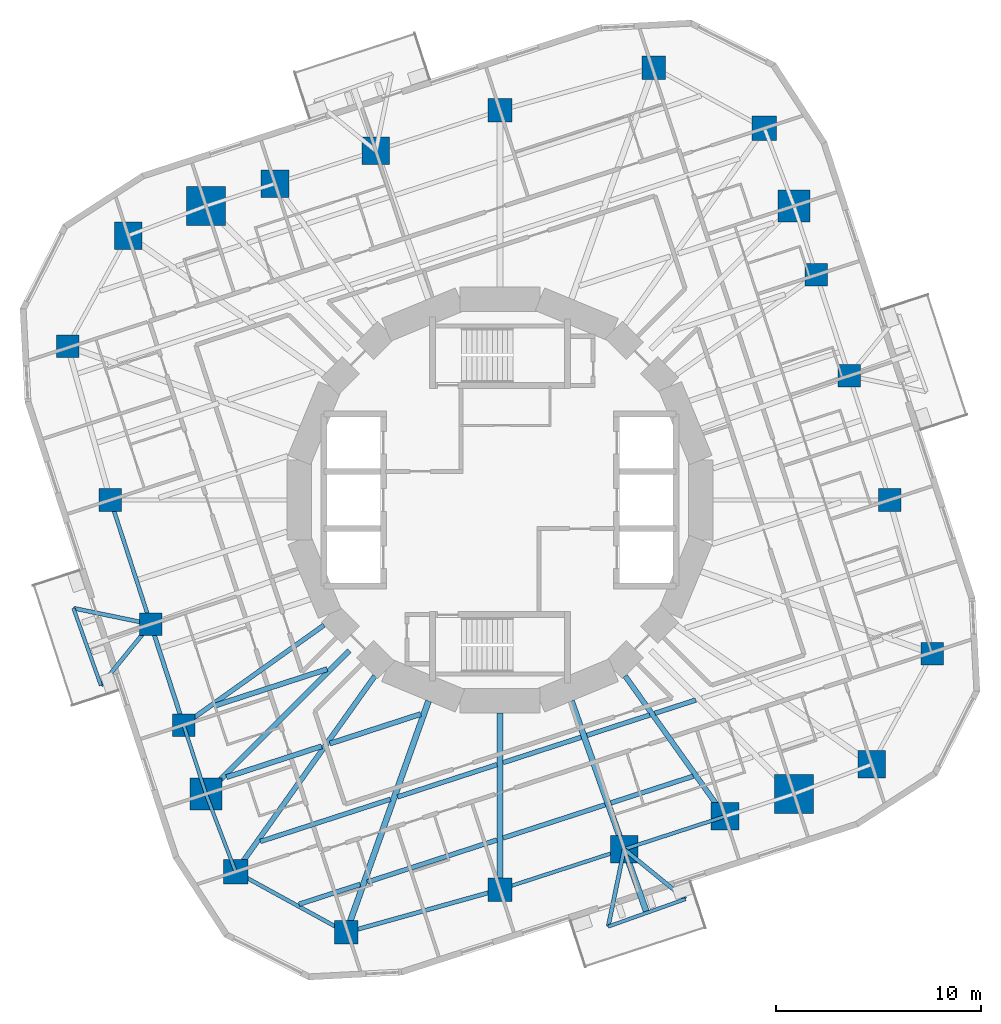
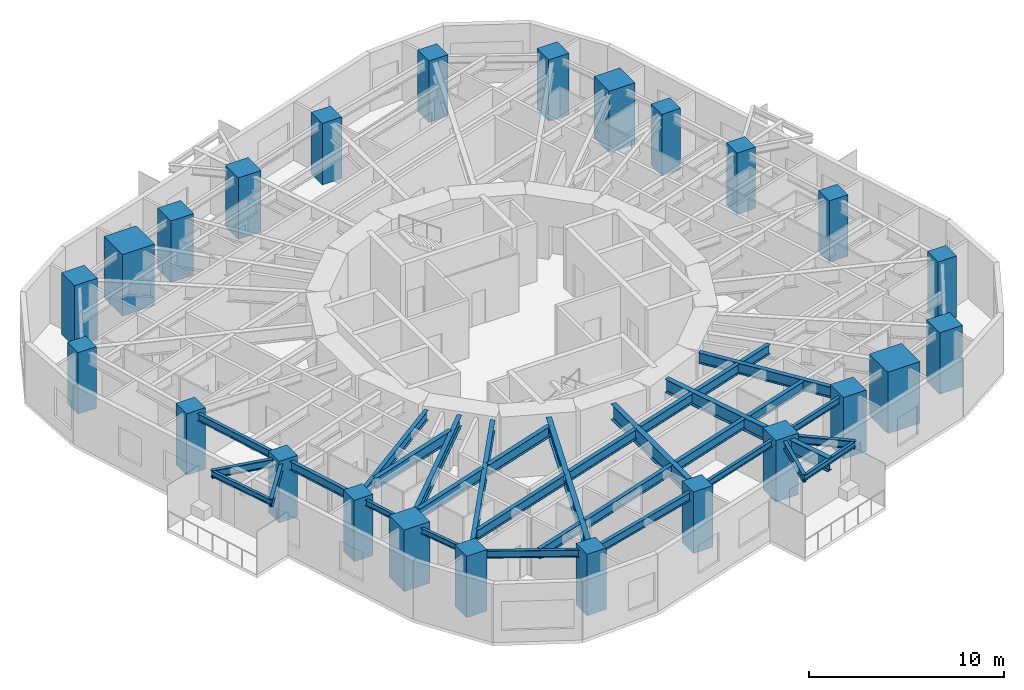
# One storey, part 1 of 12: 33 beams, 24 columns.
"""IFC4 building model written with IfcOpenShell, lengths in metres."""

from ifc_helpers import new_model, si_unit, direction, frame, origin, origin_2d, place, context, subcontext, project, spatial, rectangle, i_section, extrude, material, material_profile, profile_set, type_object, element, save


model = new_model("IFC4")

# Units and contexts
model_context = context("Model", 3, precision=1e-05, world=origin(), true_north=direction((0.0, 1.0)))
body_context = subcontext(model_context, "Body", "Model", "MODEL_VIEW")
ifc_project = project(units=[si_unit("LENGTHUNIT", "METRE"), si_unit("AREAUNIT", "SQUARE_METRE"), si_unit("VOLUMEUNIT", "CUBIC_METRE"), si_unit("PLANEANGLEUNIT", "RADIAN"), si_unit("MASSUNIT", "GRAM", prefix="KILO")], contexts=[model_context])

# Site, building, storey
site_placement = place(None, origin())
site = spatial("IfcSite", under=ifc_project, at=site_placement, CompositionType="ELEMENT")
building_placement = place(site_placement, origin())
building = spatial("IfcBuilding", under=site, at=building_placement, Name="Nakasero Lantern House", CompositionType="ELEMENT")
storey_placement = place(building_placement, frame((0.0, 0.0, 149.5)))
storey = spatial("IfcBuildingStorey", under=building, at=storey_placement, Name="L36", CompositionType="ELEMENT", Elevation=149.5)

# Columns
ifc_material_1 = material(Name="Concrete C50/60", Category="concrete")
ifc_material_profile_1 = material_profile(ifc_material_1, rectangle(XDim=1.550048828125, YDim=1.550048828125, at=origin_2d()), Name="RC 1550x1550")
ifc_profile_set_1 = profile_set([ifc_material_profile_1], Name="Concrete C50/60")
column_type_1 = type_object("IfcColumnType", Name="Mega column RC 1550x1550 C50/60", PredefinedType="COLUMN", material=ifc_profile_set_1)
for number, where, z_axis, x_axis, name in (
    (1, (14.3642578125, 14.3642578125, 0.0), (0.0, 0.0, 1.0), (1.0, 0.0, 0.0), "Column B4-C06 L36"),
    (2, (-14.3642578125, -14.3642578125, 0.0), (0.0, 0.0, 1.0), (1.0, 0.0, 0.0), "Column B4-C18 L36"),
):
    element("IfcColumn", number, at=place(storey_placement, frame(where, z_axis=z_axis, x_axis=x_axis)), inside=storey, type_object=column_type_1, Name=name, PredefinedType="COLUMN", context=body_context, shape_type="SweptSolid", body=[
        extrude(rectangle(XDim=1.550048828125, YDim=1.550048828125, at=origin_2d()), origin(), (0.0, 0.0, 1.0), 3.85009765625),
    ])
ifc_material_2 = material(Name="Concrete C50/60", Category="concrete")
ifc_material_profile_2 = material_profile(ifc_material_2, rectangle(XDim=1.89990234375, YDim=1.89990234375, at=origin_2d()), Name="RC 1900x1900")
ifc_profile_set_2 = profile_set([ifc_material_profile_2], Name="Concrete C50/60")
column_type_2 = type_object("IfcColumnType", Name="Mega column RC 1900x1900 C50/60", PredefinedType="COLUMN", material=ifc_profile_set_2)
for number, where, z_axis, x_axis, name in (
    (3, (-14.3642578125, 14.3642578125, 0.0), (0.0, 0.0, 1.0), (1.0, 0.0, 0.0), "Column B4-C12 L36"),
    (4, (14.3642578125, -14.3642578125, 0.0), (0.0, 0.0, 1.0), (1.0, 0.0, 0.0), "Column B4-C24 L36"),
):
    element("IfcColumn", number, at=place(storey_placement, frame(where, z_axis=z_axis, x_axis=x_axis)), inside=storey, type_object=column_type_2, Name=name, PredefinedType="COLUMN", context=body_context, shape_type="SweptSolid", body=[
        extrude(rectangle(XDim=1.89990234375, YDim=1.89990234375, at=origin_2d()), origin(), (0.0, 0.0, 1.0), 3.85009765625),
    ])
ifc_material_3 = material(Name="Concrete C50/60", Category="concrete")
ifc_material_profile_3 = material_profile(ifc_material_3, rectangle(XDim=1.10009765625, YDim=1.10009765625, at=origin_2d()), Name="RC 1100x1100")
ifc_profile_set_3 = profile_set([ifc_material_profile_3], Name="Concrete C50/60")
column_type_3 = type_object("IfcColumnType", Name="Ring column RC 1100x1100 C50/60", PredefinedType="COLUMN", material=ifc_profile_set_3)
for number, where, z_axis, x_axis, name in (
    (5, (21.129638671875, -7.5126953125, 0.0), (0.0, 0.0, 1.0), (1.0, 0.0, 0.0), "Column B4-C02 L36"),
    (6, (19.031494140625, 0.0, 0.0), (0.0, 0.0, 1.0), (1.0, 0.0, 0.0), "Column B4-C03 L36"),
    (7, (17.060546875, 6.06591796875, 0.0), (0.0, 0.0, 1.0), (1.0, 0.0, 0.0), "Column B4-C04 L36"),
    (8, (15.45947265625, 10.993408203125, 0.0), (0.0, 0.0, 1.0), (1.0, 0.0, 0.0), "Column B4-C05 L36"),
    (9, (-21.129638671875, 7.5126953125, 0.0), (0.0, 0.0, 1.0), (1.0, 0.0, 0.0), "Column B4-C14 L36"),
    (10, (-19.031494140625, 0.0, 0.0), (0.0, 0.0, 1.0), (1.0, 0.0, 0.0), "Column B4-C15 L36"),
    (11, (-17.060546875, -6.06591796875, 0.0), (0.0, 0.0, 1.0), (1.0, 0.0, 0.0), "Column B4-C16 L36"),
    (12, (-15.45947265625, -10.993408203125, 0.0), (0.0, 0.0, 1.0), (1.0, 0.0, 0.0), "Column B4-C17 L36"),
):
    element("IfcColumn", number, at=place(storey_placement, frame(where, z_axis=z_axis, x_axis=x_axis)), inside=storey, type_object=column_type_3, Name=name, PredefinedType="COLUMN", context=body_context, shape_type="SweptSolid", body=[
        extrude(rectangle(XDim=1.10009765625, YDim=1.10009765625, at=origin_2d()), origin(), (0.0, 0.0, 1.0), 3.85009765625),
    ])
ifc_material_4 = material(Name="Concrete C50/60", Category="concrete")
ifc_material_profile_4 = material_profile(ifc_material_4, rectangle(XDim=1.14990234375, YDim=1.14990234375, at=origin_2d()), Name="RC 1150x1150")
ifc_profile_set_4 = profile_set([ifc_material_profile_4], Name="Concrete C50/60")
column_type_4 = type_object("IfcColumnType", Name="Ring column RC 1150x1150 C50/60", PredefinedType="COLUMN", material=ifc_profile_set_4)
for number, where, z_axis, x_axis, name in (
    (13, (7.5126953125, 21.129638671875, 0.0), (0.0, 0.0, 1.0), (1.0, 0.0, 0.0), "Column B4-C08 L36"),
    (14, (0.0, 19.031494140625, 0.0), (0.0, 0.0, 1.0), (1.0, 0.0, 0.0), "Column B4-C09 L36"),
    (15, (-7.5126953125, -21.129638671875, 0.0), (0.0, 0.0, 1.0), (1.0, 0.0, 0.0), "Column B4-C20 L36"),
    (16, (0.0, -19.031494140625, 0.0), (0.0, 0.0, 1.0), (1.0, 0.0, 0.0), "Column B4-C21 L36"),
):
    element("IfcColumn", number, at=place(storey_placement, frame(where, z_axis=z_axis, x_axis=x_axis)), inside=storey, type_object=column_type_4, Name=name, PredefinedType="COLUMN", context=body_context, shape_type="SweptSolid", body=[
        extrude(rectangle(XDim=1.14990234375, YDim=1.14990234375, at=origin_2d()), origin(), (0.0, 0.0, 1.0), 3.85009765625),
    ])
ifc_material_5 = material(Name="Concrete C50/60", Category="concrete")
ifc_material_profile_5 = material_profile(ifc_material_5, rectangle(XDim=1.199951171875, YDim=1.199951171875, at=origin_2d()), Name="RC 1200x1200")
ifc_profile_set_5 = profile_set([ifc_material_profile_5], Name="Concrete C50/60")
column_type_5 = type_object("IfcColumnType", Name="Ring column RC 1200x1200 C50/60", PredefinedType="COLUMN", material=ifc_profile_set_5)
for number, where, z_axis, x_axis, name in (
    (17, (12.916015625, 18.1630859375, 0.0), (0.0, 0.0, 1.0), (1.0, 0.0, 0.0), "Column B4-C07 L36"),
    (18, (-12.916015625, -18.1630859375, 0.0), (0.0, 0.0, 1.0), (1.0, 0.0, 0.0), "Column B4-C19 L36"),
):
    element("IfcColumn", number, at=place(storey_placement, frame(where, z_axis=z_axis, x_axis=x_axis)), inside=storey, type_object=column_type_5, Name=name, PredefinedType="COLUMN", context=body_context, shape_type="SweptSolid", body=[
        extrude(rectangle(XDim=1.199951171875, YDim=1.199951171875, at=origin_2d()), origin(), (0.0, 0.0, 1.0), 3.85009765625),
    ])
ifc_material_6 = material(Name="Concrete C50/60", Category="concrete")
ifc_material_profile_6 = material_profile(ifc_material_6, rectangle(XDim=1.35009765625, YDim=1.35009765625, at=origin_2d()), Name="RC 1350x1350")
ifc_profile_set_6 = profile_set([ifc_material_profile_6], Name="Concrete C50/60")
column_type_6 = type_object("IfcColumnType", Name="Ring column RC 1350x1350 C50/60", PredefinedType="COLUMN", material=ifc_profile_set_6)
for number, where, z_axis, x_axis, name in (
    (19, (18.1630859375, -12.916015625, 0.0), (0.0, 0.0, 1.0), (1.0, 0.0, 0.0), "Column B4-C01 L36"),
    (20, (-6.06591796875, 17.060546875, 0.0), (0.0, 0.0, 1.0), (1.0, 0.0, 0.0), "Column B4-C10 L36"),
    (21, (-10.993408203125, 15.45947265625, 0.0), (0.0, 0.0, 1.0), (1.0, 0.0, 0.0), "Column B4-C11 L36"),
    (22, (-18.1630859375, 12.916015625, 0.0), (0.0, 0.0, 1.0), (1.0, 0.0, 0.0), "Column B4-C13 L36"),
    (23, (6.06591796875, -17.060546875, 0.0), (0.0, 0.0, 1.0), (1.0, 0.0, 0.0), "Column B4-C22 L36"),
    (24, (10.993408203125, -15.45947265625, 0.0), (0.0, 0.0, 1.0), (1.0, 0.0, 0.0), "Column B4-C23 L36"),
):
    element("IfcColumn", number, at=place(storey_placement, frame(where, z_axis=z_axis, x_axis=x_axis)), inside=storey, type_object=column_type_6, Name=name, PredefinedType="COLUMN", context=body_context, shape_type="SweptSolid", body=[
        extrude(rectangle(XDim=1.35009765625, YDim=1.35009765625, at=origin_2d()), origin(), (0.0, 0.0, 1.0), 3.85009765625),
    ])

# Beams
ifc_material_7 = material(Name="Steel S355", Category="steel")
ifc_material_profile_7 = material_profile(ifc_material_7, i_section(OverallWidth=0.199462890625, OverallDepth=0.491943359375, WebThickness=0.01806640625, FlangeThickness=0.031982421875, FilletRadius=0.01025390625, at=origin_2d()), Name="UB 457x191x161")
ifc_profile_set_7 = profile_set([ifc_material_profile_7], Name="Steel S355")
beam_type_1 = type_object("IfcBeamType", Name="Balcony splay beam UB 457x191x161", PredefinedType="BEAM", material=ifc_profile_set_7)
for number, where, z_axis, x_axis, name in (
    (25, (-17.060546875, -6.06591796875, 3.404052734375), (-0.632127727159, -0.774864205236, 0.0), (0.774864205236, -0.632127727159, 0.0), "Balcony splay beam L37 B4-C16A"),
    (26, (-17.060546875, -6.06591796875, 3.404052734375), (-0.979420272605, 0.201831438605, 0.0), (-0.201831438605, -0.979420272605, 0.0), "Balcony splay beam L37 B4-C16B"),
    (27, (6.06591796875, -17.060546875, 3.404052734375), (0.774864205236, -0.632127727159, 0.0), (0.632127727159, 0.774864205236, 0.0), "Balcony splay beam L37 B4-C22A"),
    (28, (6.06591796875, -17.060546875, 3.404052734375), (-0.201831438605, -0.979420272605, 0.0), (0.979420272605, -0.201831438605, 0.0), "Balcony splay beam L37 B4-C22B"),
):
    element("IfcBeam", number, at=place(storey_placement, frame(where, z_axis=z_axis, x_axis=x_axis)), inside=storey, type_object=beam_type_1, Name=name, PredefinedType="BEAM", context=body_context, shape_type="SweptSolid", body=[
        extrude(i_section(OverallWidth=0.199462890625, OverallDepth=0.491943359375, WebThickness=0.01806640625, FlangeThickness=0.031982421875, FilletRadius=0.01025390625, at=origin_2d()), origin(), (0.0, 0.0, 1.0), 3.858642578125),
    ])
ifc_material_8 = material(Name="Steel S355", Category="steel")
ifc_material_profile_8 = material_profile(ifc_material_8, i_section(OverallWidth=0.17138671875, OverallDepth=0.35498046875, WebThickness=0.00732421875, FlangeThickness=0.011474609375, FilletRadius=0.01025390625, at=origin_2d()), Name="UB 356x171x51")
ifc_profile_set_8 = profile_set([ifc_material_profile_8], Name="Steel S355")
beam_type_2 = type_object("IfcBeamType", Name="Balcony tie beam UB 356x171x51", PredefinedType="BEAM", material=ifc_profile_set_8)
for number, where, z_axis, x_axis, name in (
    (29, (-19.499755859375, -9.055908203125, 3.472412109375), (-0.335025321236, 0.942209124415, 0.0), (-0.942209124415, -0.335025321236, 0.0), "Balcony tie beam L37 B4-C16"),
    (30, (9.055908203125, -19.499755859375, 3.472412109375), (-0.942209124415, -0.335025321236, 0.0), (0.335025321236, -0.942209124415, 0.0), "Balcony tie beam L37 B4-C22"),
):
    element("IfcBeam", number, at=place(storey_placement, frame(where, z_axis=z_axis, x_axis=x_axis)), inside=storey, type_object=beam_type_2, Name=name, PredefinedType="BEAM", context=body_context, shape_type="SweptSolid", body=[
        extrude(i_section(OverallWidth=0.17138671875, OverallDepth=0.35498046875, WebThickness=0.00732421875, FlangeThickness=0.011474609375, FilletRadius=0.01025390625, at=origin_2d()), origin(), (0.0, 0.0, 1.0), 4.0),
    ])
ifc_material_9 = material(Name="Steel S355", Category="steel")
ifc_material_profile_9 = material_profile(ifc_material_9, i_section(OverallWidth=0.22900390625, OverallDepth=0.6123046875, WebThickness=0.011962890625, FlangeThickness=0.01953125, FilletRadius=0.0126953125, at=origin_2d()), Name="UB 610x229x125")
ifc_profile_set_9 = profile_set([ifc_material_profile_9], Name="Steel S355")
beam_type_3 = type_object("IfcBeamType", Name="Infill beam UB 610x229x125", PredefinedType="JOIST", material=ifc_profile_set_9)
beam_1_placement = place(storey_placement, frame((-9.823974609375, -19.75244140625, 3.343994140625), z_axis=(0.951054602662, 0.309022883872, 0.0), x_axis=(-0.309022883872, 0.951054602662, 0.0)))
element("IfcBeam", 31, at=beam_1_placement, inside=storey, type_object=beam_type_3, Name="Infill beam L37 03.1", PredefinedType="JOIST", context=body_context, shape_type="SweptSolid", body=[
    extrude(i_section(OverallWidth=0.22900390625, OverallDepth=0.6123046875, WebThickness=0.011962890625, FlangeThickness=0.01953125, FilletRadius=0.0126953125, at=origin_2d()), origin(), (0.0, 0.0, 1.0), 3.145263671875),
])
beam_2_placement = place(storey_placement, frame((-6.48193359375, -18.66650390625, 3.343994140625), z_axis=(0.951068556075, 0.308979937287, 0.0), x_axis=(-0.308979937287, 0.951068556075, 0.0)))
element("IfcBeam", 32, at=beam_2_placement, inside=storey, type_object=beam_type_3, Name="Infill beam L37 03.2", PredefinedType="JOIST", context=body_context, shape_type="SweptSolid", body=[
    extrude(i_section(OverallWidth=0.22900390625, OverallDepth=0.6123046875, WebThickness=0.011962890625, FlangeThickness=0.01953125, FilletRadius=0.0126953125, at=origin_2d()), origin(), (0.0, 0.0, 1.0), 6.65771484375),
])
beam_3_placement = place(storey_placement, frame((0.14990234375, -16.51171875, 3.343994140625), z_axis=(0.951061765699, 0.309000837904, 0.0), x_axis=(-0.309000837904, 0.951061765699, 0.0)))
element("IfcBeam", 33, at=beam_3_placement, inside=storey, type_object=beam_type_3, Name="Infill beam L37 03.3", PredefinedType="JOIST", context=body_context, shape_type="SweptSolid", body=[
    extrude(i_section(OverallWidth=0.22900390625, OverallDepth=0.6123046875, WebThickness=0.011962890625, FlangeThickness=0.01953125, FilletRadius=0.0126953125, at=origin_2d()), origin(), (0.0, 0.0, 1.0), 5.246337890625),
])
beam_4_placement = place(storey_placement, frame((5.41748046875, -14.80029296875, 3.343994140625), z_axis=(0.951057398427, 0.30901427944, 0.0), x_axis=(-0.30901427944, 0.951057398427, 0.0)))
element("IfcBeam", 34, at=beam_4_placement, inside=storey, type_object=beam_type_3, Name="Infill beam L37 03.4", PredefinedType="JOIST", context=body_context, shape_type="SweptSolid", body=[
    extrude(i_section(OverallWidth=0.22900390625, OverallDepth=0.6123046875, WebThickness=0.011962890625, FlangeThickness=0.01953125, FilletRadius=0.0126953125, at=origin_2d()), origin(), (0.0, 0.0, 1.0), 4.229248046875),
])
beam_5_placement = place(storey_placement, frame((-11.709228515625, -16.68505859375, 3.343994140625), z_axis=(0.951056080098, 0.30901833685, 0.0), x_axis=(-0.30901833685, 0.951056080098, 0.0)))
element("IfcBeam", 35, at=beam_5_placement, inside=storey, type_object=beam_type_3, Name="Infill beam L37 04.1", PredefinedType="JOIST", context=body_context, shape_type="SweptSolid", body=[
    extrude(i_section(OverallWidth=0.22900390625, OverallDepth=0.6123046875, WebThickness=0.011962890625, FlangeThickness=0.01953125, FilletRadius=0.0126953125, at=origin_2d()), origin(), (0.0, 0.0, 1.0), 6.68310546875),
])
beam_6_placement = place(storey_placement, frame((-5.00244140625, -14.505859375, 3.343994140625), z_axis=(0.951057977144, 0.309012498309, 0.0), x_axis=(-0.309012498309, 0.951057977144, 0.0)))
element("IfcBeam", 36, at=beam_6_placement, inside=storey, type_object=beam_type_3, Name="Infill beam L37 04.2", PredefinedType="JOIST", context=body_context, shape_type="SweptSolid", body=[
    extrude(i_section(OverallWidth=0.22900390625, OverallDepth=0.6123046875, WebThickness=0.011962890625, FlangeThickness=0.01953125, FilletRadius=0.0126953125, at=origin_2d()), origin(), (0.0, 0.0, 1.0), 5.102294921875),
])
beam_7_placement = place(storey_placement, frame((0.14990234375, -12.831787109375, 3.343994140625), z_axis=(0.95105910343, 0.309009031878, 0.0), x_axis=(-0.309009031878, 0.95105910343, 0.0)))
element("IfcBeam", 37, at=beam_7_placement, inside=storey, type_object=beam_type_3, Name="Infill beam L37 04.3", PredefinedType="JOIST", context=body_context, shape_type="SweptSolid", body=[
    extrude(i_section(OverallWidth=0.22900390625, OverallDepth=0.6123046875, WebThickness=0.011962890625, FlangeThickness=0.01953125, FilletRadius=0.0126953125, at=origin_2d()), origin(), (0.0, 0.0, 1.0), 4.0126953125),
])
beam_8_placement = place(storey_placement, frame((4.24462890625, -11.501220703125, 3.343994140625), z_axis=(0.951054080044, 0.309024492283, 0.0), x_axis=(-0.309024492283, 0.951054080044, 0.0)))
element("IfcBeam", 38, at=beam_8_placement, inside=storey, type_object=beam_type_3, Name="Infill beam L37 04.4", PredefinedType="JOIST", context=body_context, shape_type="SweptSolid", body=[
    extrude(i_section(OverallWidth=0.22900390625, OverallDepth=0.6123046875, WebThickness=0.011962890625, FlangeThickness=0.01953125, FilletRadius=0.0126953125, at=origin_2d()), origin(), (0.0, 0.0, 1.0), 3.227294921875),
])
beam_9_placement = place(storey_placement, frame((7.566650390625, -10.421875, 3.343994140625), z_axis=(0.951053739923, 0.30902553904, 0.0), x_axis=(-0.30902553904, 0.951053739923, 0.0)))
element("IfcBeam", 39, at=beam_9_placement, inside=storey, type_object=beam_type_3, Name="Infill beam L37 04.5", PredefinedType="JOIST", context=body_context, shape_type="SweptSolid", body=[
    extrude(i_section(OverallWidth=0.22900390625, OverallDepth=0.6123046875, WebThickness=0.011962890625, FlangeThickness=0.01953125, FilletRadius=0.0126953125, at=origin_2d()), origin(), (0.0, 0.0, 1.0), 2.09765625),
])
ifc_material_10 = material(Name="Steel S355", Category="steel")
ifc_material_profile_10 = material_profile(ifc_material_10, i_section(OverallWidth=0.253662109375, OverallDepth=0.68359375, WebThickness=0.012451171875, FlangeThickness=0.01904296875, FilletRadius=0.01513671875, at=origin_2d()), Name="UB 686x254x140")
ifc_profile_set_10 = profile_set([ifc_material_profile_10], Name="Steel S355")
beam_type_4 = type_object("IfcBeamType", Name="Infill beam UB 686x254x140", PredefinedType="JOIST", material=ifc_profile_set_10)
beam_10_placement = place(storey_placement, frame((-13.36279296875, -13.5419921875, 3.308349609375), z_axis=(0.951061574069, 0.309001427713, 0.0), x_axis=(-0.309001427713, 0.951061574069, 0.0)))
element("IfcBeam", 40, at=beam_10_placement, inside=storey, type_object=beam_type_4, Name="Infill beam L37 05.1", PredefinedType="JOIST", context=body_context, shape_type="SweptSolid", body=[
    extrude(i_section(OverallWidth=0.253662109375, OverallDepth=0.68359375, WebThickness=0.012451171875, FlangeThickness=0.01904296875, FilletRadius=0.01513671875, at=origin_2d()), origin(), (0.0, 0.0, 1.0), 4.8916015625),
])
beam_11_placement = place(storey_placement, frame((-8.305908203125, -11.89892578125, 3.308349609375), z_axis=(0.95106063111, 0.309004329989, 0.0), x_axis=(-0.309004329989, 0.95106063111, 0.0)))
element("IfcBeam", 41, at=beam_11_placement, inside=storey, type_object=beam_type_4, Name="Infill beam L37 05.2", PredefinedType="JOIST", context=body_context, shape_type="SweptSolid", body=[
    extrude(i_section(OverallWidth=0.253662109375, OverallDepth=0.68359375, WebThickness=0.012451171875, FlangeThickness=0.01904296875, FilletRadius=0.01513671875, at=origin_2d()), origin(), (0.0, 0.0, 1.0), 4.659912109375),
])
beam_12_placement = place(storey_placement, frame((-13.93017578125, -10.04638671875, 3.308349609375), z_axis=(0.951055211673, 0.309021009559, 0.0), x_axis=(-0.309021009559, 0.951055211673, 0.0)))
element("IfcBeam", 42, at=beam_12_placement, inside=storey, type_object=beam_type_4, Name="Infill beam L37 06.1", PredefinedType="JOIST", context=body_context, shape_type="SweptSolid", body=[
    extrude(i_section(OverallWidth=0.253662109375, OverallDepth=0.68359375, WebThickness=0.012451171875, FlangeThickness=0.01904296875, FilletRadius=0.01513671875, at=origin_2d()), origin(), (0.0, 0.0, 1.0), 5.769775390625),
])
ifc_material_11 = material(Name="Steel S355", Category="steel")
ifc_material_profile_11 = material_profile(ifc_material_11, i_section(OverallWidth=0.300048828125, OverallDepth=0.97998046875, WebThickness=0.0166015625, FlangeThickness=0.02587890625, FilletRadius=0.030029296875, at=origin_2d()), Name="UB 1016x305x249")
ifc_profile_set_11 = profile_set([ifc_material_profile_11], Name="Steel S355")
beam_type_5 = type_object("IfcBeamType", Name="Primary beam UB 1016x305x249, span 6 to 9 m", PredefinedType="BEAM", material=ifc_profile_set_11)
beam_13_placement = place(storey_placement, frame((0.0, -19.031494140625, 3.159912109375), z_axis=(0.0, 1.0, 0.0), x_axis=(-1.0, 0.0, 0.0)))
element("IfcBeam", 43, at=beam_13_placement, inside=storey, type_object=beam_type_5, Name="Primary beam L37 B4-C21", PredefinedType="BEAM", context=body_context, shape_type="SweptSolid", body=[
    extrude(i_section(OverallWidth=0.300048828125, OverallDepth=0.97998046875, WebThickness=0.0166015625, FlangeThickness=0.02587890625, FilletRadius=0.030029296875, at=origin_2d()), origin(), (0.0, 0.0, 1.0), 8.62353515625),
])
ifc_material_12 = material(Name="Steel S355", Category="steel")
ifc_material_profile_12 = material_profile(ifc_material_12, i_section(OverallWidth=0.22900390625, OverallDepth=0.6123046875, WebThickness=0.011962890625, FlangeThickness=0.01953125, FilletRadius=0.0126953125, at=origin_2d()), Name="UB 610x229x125")
ifc_profile_set_12 = profile_set([ifc_material_profile_12], Name="Steel S355")
beam_type_6 = type_object("IfcBeamType", Name="Primary beam UB 610x229x125, span 6 to 9 m", PredefinedType="BEAM", material=ifc_profile_set_12)
beam_14_placement = place(storey_placement, frame((-15.45947265625, -10.993408203125, 3.343994140625), z_axis=(0.81495106139, 0.579529781409, 0.0), x_axis=(-0.579529781409, 0.81495106139, 0.0)))
element("IfcBeam", 44, at=beam_14_placement, inside=storey, type_object=beam_type_6, Name="Primary beam L37 B4-C17", PredefinedType="BEAM", context=body_context, shape_type="SweptSolid", body=[
    extrude(i_section(OverallWidth=0.22900390625, OverallDepth=0.6123046875, WebThickness=0.011962890625, FlangeThickness=0.01953125, FilletRadius=0.0126953125, at=origin_2d()), origin(), (0.0, 0.0, 1.0), 8.41455078125),
])
ifc_material_13 = material(Name="Steel S355", Category="steel")
ifc_material_profile_13 = material_profile(ifc_material_13, i_section(OverallWidth=0.253662109375, OverallDepth=0.68359375, WebThickness=0.012451171875, FlangeThickness=0.01904296875, FilletRadius=0.01513671875, at=origin_2d()), Name="UB 686x254x140")
ifc_profile_set_13 = profile_set([ifc_material_profile_13], Name="Steel S355")
beam_type_7 = type_object("IfcBeamType", Name="Primary beam UB 686x254x140, span 6 to 9 m", PredefinedType="BEAM", material=ifc_profile_set_13)
beam_15_placement = place(storey_placement, frame((10.993408203125, -15.45947265625, 3.308349609375), z_axis=(-0.579529781409, 0.81495106139, 0.0), x_axis=(-0.81495106139, -0.579529781409, 0.0)))
element("IfcBeam", 45, at=beam_15_placement, inside=storey, type_object=beam_type_7, Name="Primary beam L37 B4-C23", PredefinedType="BEAM", context=body_context, shape_type="SweptSolid", body=[
    extrude(i_section(OverallWidth=0.253662109375, OverallDepth=0.68359375, WebThickness=0.012451171875, FlangeThickness=0.01904296875, FilletRadius=0.01513671875, at=origin_2d()), origin(), (0.0, 0.0, 1.0), 8.41455078125),
])
ifc_material_14 = material(Name="Steel S355", Category="steel")
ifc_material_profile_14 = material_profile(ifc_material_14, i_section(OverallWidth=0.253662109375, OverallDepth=0.68359375, WebThickness=0.012451171875, FlangeThickness=0.01904296875, FilletRadius=0.01513671875, at=origin_2d()), Name="UB 686x254x140")
ifc_profile_set_14 = profile_set([ifc_material_profile_14], Name="Steel S355")
beam_type_8 = type_object("IfcBeamType", Name="Primary beam UB 686x254x140, span 9 to 12 m", PredefinedType="BEAM", material=ifc_profile_set_14)
beam_16_placement = place(storey_placement, frame((-14.3642578125, -14.3642578125, 3.308349609375), z_axis=(0.707106781187, 0.707106781187, 0.0), x_axis=(-0.707106781187, 0.707106781187, 0.0)))
element("IfcBeam", 46, at=beam_16_placement, inside=storey, type_object=beam_type_8, Name="Primary beam L37 B4-C18", PredefinedType="BEAM", context=body_context, shape_type="SweptSolid", body=[
    extrude(i_section(OverallWidth=0.253662109375, OverallDepth=0.68359375, WebThickness=0.012451171875, FlangeThickness=0.01904296875, FilletRadius=0.01513671875, at=origin_2d()), origin(), (0.0, 0.0, 1.0), 9.906494140625),
])
beam_17_placement = place(storey_placement, frame((-12.916015625, -18.1630859375, 3.308349609375), z_axis=(0.579530236062, 0.814950738075, 0.0), x_axis=(-0.814950738075, 0.579530236062, 0.0)))
element("IfcBeam", 47, at=beam_17_placement, inside=storey, type_object=beam_type_8, Name="Primary beam L37 B4-C19", PredefinedType="BEAM", context=body_context, shape_type="SweptSolid", body=[
    extrude(i_section(OverallWidth=0.253662109375, OverallDepth=0.68359375, WebThickness=0.012451171875, FlangeThickness=0.01904296875, FilletRadius=0.01513671875, at=origin_2d()), origin(), (0.0, 0.0, 1.0), 11.73193359375),
])
ifc_material_15 = material(Name="Steel S355", Category="steel")
ifc_material_profile_15 = material_profile(ifc_material_15, i_section(OverallWidth=0.29248046875, OverallDepth=0.8408203125, WebThickness=0.0146484375, FlangeThickness=0.02685546875, FilletRadius=0.017822265625, at=origin_2d()), Name="UB 838x292x194")
ifc_profile_set_15 = profile_set([ifc_material_profile_15], Name="Steel S355")
beam_type_9 = type_object("IfcBeamType", Name="Primary beam UB 838x292x194, span 12 to 15 m", PredefinedType="BEAM", material=ifc_profile_set_15)
beam_18_placement = place(storey_placement, frame((-7.5126953125, -21.129638671875, 3.229736328125), z_axis=(0.335012877559, 0.942213548974, 0.0), x_axis=(-0.942213548974, 0.335012877559, 0.0)))
element("IfcBeam", 48, at=beam_18_placement, inside=storey, type_object=beam_type_9, Name="Primary beam L37 B4-C20", PredefinedType="BEAM", context=body_context, shape_type="SweptSolid", body=[
    extrude(i_section(OverallWidth=0.29248046875, OverallDepth=0.8408203125, WebThickness=0.0146484375, FlangeThickness=0.02685546875, FilletRadius=0.017822265625, at=origin_2d()), origin(), (0.0, 0.0, 1.0), 12.00390625),
])
ifc_material_16 = material(Name="Steel S355", Category="steel")
ifc_material_profile_16 = material_profile(ifc_material_16, i_section(OverallWidth=0.29248046875, OverallDepth=0.8408203125, WebThickness=0.0146484375, FlangeThickness=0.02685546875, FilletRadius=0.017822265625, at=origin_2d()), Name="UB 838x292x194")
ifc_profile_set_16 = profile_set([ifc_material_profile_16], Name="Steel S355")
beam_type_10 = type_object("IfcBeamType", Name="Primary beam UB 838x292x194, span 6 to 9 m", PredefinedType="BEAM", material=ifc_profile_set_16)
beam_19_placement = place(storey_placement, frame((7.17138671875, -20.169921875, 3.229736328125), z_axis=(-0.335007036998, 0.942215625619, 0.0), x_axis=(-0.942215625619, -0.335007036998, 0.0)))
element("IfcBeam", 49, at=beam_19_placement, inside=storey, type_object=beam_type_10, Name="Primary beam L37 B4-C22", PredefinedType="BEAM", context=body_context, shape_type="SweptSolid", body=[
    extrude(i_section(OverallWidth=0.29248046875, OverallDepth=0.8408203125, WebThickness=0.0146484375, FlangeThickness=0.02685546875, FilletRadius=0.017822265625, at=origin_2d()), origin(), (0.0, 0.0, 1.0), 10.9853515625),
])
ifc_material_17 = material(Name="Steel S355", Category="steel")
ifc_material_profile_17 = material_profile(ifc_material_17, i_section(OverallWidth=0.17138671875, OverallDepth=0.35498046875, WebThickness=0.00732421875, FlangeThickness=0.011474609375, FilletRadius=0.01025390625, at=origin_2d()), Name="UB 356x171x51")
ifc_profile_set_17 = profile_set([ifc_material_profile_17], Name="Steel S355")
beam_type_11 = type_object("IfcBeamType", Name="Ring beam UB 356x171x51", PredefinedType="BEAM", material=ifc_profile_set_17)
beam_20_placement = place(storey_placement, frame((-15.45947265625, -10.993408203125, 3.472412109375), z_axis=(0.309006636447, -0.951059881727, 0.0), x_axis=(0.951059881727, 0.309006636447, 0.0)))
element("IfcBeam", 50, at=beam_20_placement, inside=storey, type_object=beam_type_11, Name="Ring beam L37 B4-C17", PredefinedType="BEAM", context=body_context, shape_type="SweptSolid", body=[
    extrude(i_section(OverallWidth=0.17138671875, OverallDepth=0.35498046875, WebThickness=0.00732421875, FlangeThickness=0.011474609375, FilletRadius=0.01025390625, at=origin_2d()), origin(), (0.0, 0.0, 1.0), 3.544189453125),
])
beam_21_placement = place(storey_placement, frame((-14.3642578125, -14.3642578125, 3.472412109375), z_axis=(0.35622505813, -0.934400186194, 0.0), x_axis=(0.934400186194, 0.35622505813, 0.0)))
element("IfcBeam", 51, at=beam_21_placement, inside=storey, type_object=beam_type_11, Name="Ring beam L37 B4-C18", PredefinedType="BEAM", context=body_context, shape_type="SweptSolid", body=[
    extrude(i_section(OverallWidth=0.17138671875, OverallDepth=0.35498046875, WebThickness=0.00732421875, FlangeThickness=0.011474609375, FilletRadius=0.01025390625, at=origin_2d()), origin(), (0.0, 0.0, 1.0), 4.0654296875),
])
ifc_material_18 = material(Name="Steel S355", Category="steel")
ifc_material_profile_18 = material_profile(ifc_material_18, i_section(OverallWidth=0.177978515625, OverallDepth=0.406494140625, WebThickness=0.0078125, FlangeThickness=0.0126953125, FilletRadius=0.01025390625, at=origin_2d()), Name="UB 406x178x60")
ifc_profile_set_18 = profile_set([ifc_material_profile_18], Name="Steel S355")
beam_type_12 = type_object("IfcBeamType", Name="Ring beam UB 406x178x60", PredefinedType="BEAM", material=ifc_profile_set_18)
beam_22_placement = place(storey_placement, frame((6.06591796875, -17.060546875, 3.44677734375), z_axis=(0.95105449754, 0.309023207396, 0.0), x_axis=(-0.309023207396, 0.95105449754, 0.0)))
element("IfcBeam", 52, at=beam_22_placement, inside=storey, type_object=beam_type_12, Name="Ring beam L37 B4-C22", PredefinedType="BEAM", context=body_context, shape_type="SweptSolid", body=[
    extrude(i_section(OverallWidth=0.177978515625, OverallDepth=0.406494140625, WebThickness=0.0078125, FlangeThickness=0.0126953125, FilletRadius=0.01025390625, at=origin_2d()), origin(), (0.0, 0.0, 1.0), 5.18115234375),
])
ifc_material_19 = material(Name="Steel S355", Category="steel")
ifc_material_profile_19 = material_profile(ifc_material_19, i_section(OverallWidth=0.179443359375, OverallDepth=0.412841796875, WebThickness=0.009521484375, FlangeThickness=0.01611328125, FilletRadius=0.01025390625, at=origin_2d()), Name="UB 406x178x74")
ifc_profile_set_19 = profile_set([ifc_material_profile_19], Name="Steel S355")
beam_type_13 = type_object("IfcBeamType", Name="Ring beam UB 406x178x74", PredefinedType="BEAM", material=ifc_profile_set_19)
beam_23_placement = place(storey_placement, frame((0.0, -19.031494140625, 3.443603515625), z_axis=(0.951056007502, 0.309018560274, 0.0), x_axis=(-0.309018560274, 0.951056007502, 0.0)))
element("IfcBeam", 53, at=beam_23_placement, inside=storey, type_object=beam_type_13, Name="Ring beam L37 B4-C21", PredefinedType="BEAM", context=body_context, shape_type="SweptSolid", body=[
    extrude(i_section(OverallWidth=0.179443359375, OverallDepth=0.412841796875, WebThickness=0.009521484375, FlangeThickness=0.01611328125, FilletRadius=0.01025390625, at=origin_2d()), origin(), (0.0, 0.0, 1.0), 6.378173828125),
])
ifc_material_20 = material(Name="Steel S355", Category="steel")
ifc_material_profile_20 = material_profile(ifc_material_20, i_section(OverallWidth=0.18994140625, OverallDepth=0.453369140625, WebThickness=0.008544921875, FlangeThickness=0.0126953125, FilletRadius=0.01025390625, at=origin_2d()), Name="UB 457x191x67")
ifc_profile_set_20 = profile_set([ifc_material_profile_20], Name="Steel S355")
beam_type_14 = type_object("IfcBeamType", Name="Ring beam UB 457x191x67", PredefinedType="BEAM", material=ifc_profile_set_20)
beam_24_placement = place(storey_placement, frame((-19.031494140625, 0.0, 3.42333984375), z_axis=(0.309018560274, -0.951056007502, 0.0), x_axis=(0.951056007502, 0.309018560274, 0.0)))
element("IfcBeam", 54, at=beam_24_placement, inside=storey, type_object=beam_type_14, Name="Ring beam L37 B4-C15", PredefinedType="BEAM", context=body_context, shape_type="SweptSolid", body=[
    extrude(i_section(OverallWidth=0.18994140625, OverallDepth=0.453369140625, WebThickness=0.008544921875, FlangeThickness=0.0126953125, FilletRadius=0.01025390625, at=origin_2d()), origin(), (0.0, 0.0, 1.0), 6.378173828125),
])
beam_25_placement = place(storey_placement, frame((-12.916015625, -18.1630859375, 3.42333984375), z_axis=(0.876576912681, -0.481261795861, 0.0), x_axis=(0.481261795861, 0.876576912681, 0.0)))
element("IfcBeam", 55, at=beam_25_placement, inside=storey, type_object=beam_type_14, Name="Ring beam L37 B4-C19", PredefinedType="BEAM", context=body_context, shape_type="SweptSolid", body=[
    extrude(i_section(OverallWidth=0.18994140625, OverallDepth=0.453369140625, WebThickness=0.008544921875, FlangeThickness=0.0126953125, FilletRadius=0.01025390625, at=origin_2d()), origin(), (0.0, 0.0, 1.0), 6.1640625),
])
ifc_material_21 = material(Name="Steel S355", Category="steel")
ifc_material_profile_21 = material_profile(ifc_material_21, i_section(OverallWidth=0.2099609375, OverallDepth=0.53662109375, WebThickness=0.0107421875, FlangeThickness=0.017333984375, FilletRadius=0.0126953125, at=origin_2d()), Name="UB 533x210x101")
ifc_profile_set_21 = profile_set([ifc_material_profile_21], Name="Steel S355")
beam_type_15 = type_object("IfcBeamType", Name="Ring beam UB 533x210x101", PredefinedType="BEAM", material=ifc_profile_set_21)
beam_26_placement = place(storey_placement, frame((-17.060546875, -6.06591796875, 3.381591796875), z_axis=(0.309023207396, -0.95105449754, 0.0), x_axis=(0.95105449754, 0.309023207396, 0.0)))
element("IfcBeam", 56, at=beam_26_placement, inside=storey, type_object=beam_type_15, Name="Ring beam L37 B4-C16", PredefinedType="BEAM", context=body_context, shape_type="SweptSolid", body=[
    extrude(i_section(OverallWidth=0.2099609375, OverallDepth=0.53662109375, WebThickness=0.0107421875, FlangeThickness=0.017333984375, FilletRadius=0.0126953125, at=origin_2d()), origin(), (0.0, 0.0, 1.0), 5.18115234375),
])
ifc_material_22 = material(Name="Steel S355", Category="steel")
ifc_material_profile_22 = material_profile(ifc_material_22, i_section(OverallWidth=0.208740234375, OverallDepth=0.5283203125, WebThickness=0.009521484375, FlangeThickness=0.01318359375, FilletRadius=0.0126953125, at=origin_2d()), Name="UB 533x210x82")
ifc_profile_set_22 = profile_set([ifc_material_profile_22], Name="Steel S355")
beam_type_16 = type_object("IfcBeamType", Name="Ring beam UB 533x210x82", PredefinedType="BEAM", material=ifc_profile_set_22)
beam_27_placement = place(storey_placement, frame((-7.5126953125, -21.129638671875, 3.3857421875), z_axis=(0.963143892339, 0.268986696047, 0.0), x_axis=(-0.268986696047, 0.963143892339, 0.0)))
element("IfcBeam", 57, at=beam_27_placement, inside=storey, type_object=beam_type_16, Name="Ring beam L37 B4-C20", PredefinedType="BEAM", context=body_context, shape_type="SweptSolid", body=[
    extrude(i_section(OverallWidth=0.208740234375, OverallDepth=0.5283203125, WebThickness=0.009521484375, FlangeThickness=0.01318359375, FilletRadius=0.0126953125, at=origin_2d()), origin(), (0.0, 0.0, 1.0), 7.80029296875),
])

save(model, "model.ifc")
